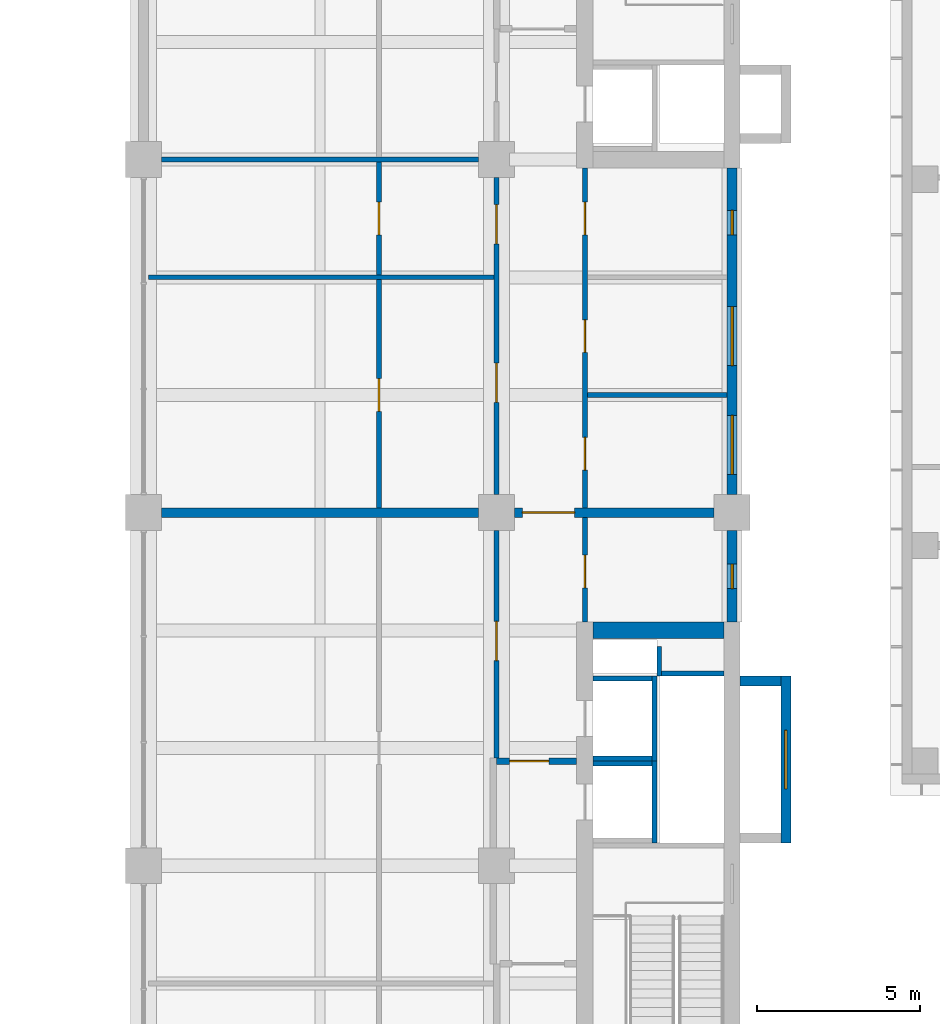
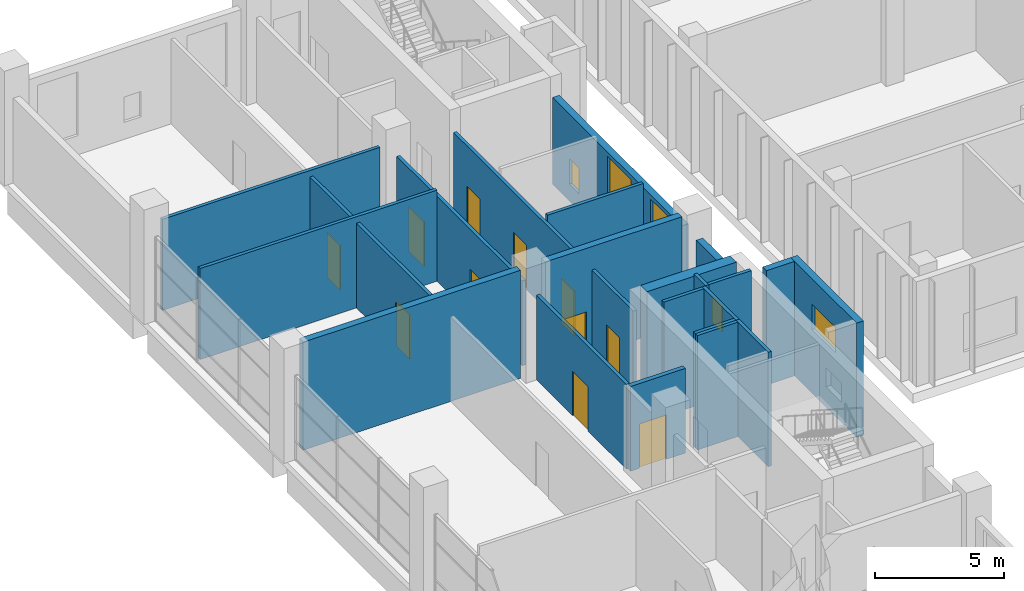
# One storey, part 22 of 32: 24 walls, 11 doors, 5 windows, 16 openings.
"""IFC4 building model written with IfcOpenShell, lengths in metres."""

from ifc_helpers import new_model, si_unit, direction, frame, frame_2d, origin, place, context, subcontext, project, spatial, rectangle, extrude, material, layer, layer_set, type_object, element, fill, save


model = new_model("IFC4")

# Units and contexts
model_context = context("Model", 3, precision=1e-05, world=origin(), true_north=direction((0.0, 1.0)))
body_context = subcontext(model_context, "Body", "Model", "MODEL_VIEW")
ifc_project = project(units=[si_unit("LENGTHUNIT", "METRE"), si_unit("AREAUNIT", "SQUARE_METRE"), si_unit("VOLUMEUNIT", "CUBIC_METRE"), si_unit("PLANEANGLEUNIT", "RADIAN"), si_unit("MASSUNIT", "GRAM", prefix="KILO")], contexts=[model_context])

# Site, building, storey
site_placement = place(None, origin())
site = spatial("IfcSite", under=ifc_project, at=site_placement, CompositionType="ELEMENT")
building_placement = place(site_placement, origin())
building = spatial("IfcBuilding", under=site, at=building_placement, Name="Basin Gate Institute", CompositionType="ELEMENT")
storey_placement = place(building_placement, frame((0.0, 0.0, 11.39990234375)))
storey = spatial("IfcBuildingStorey", under=building, at=storey_placement, Name="L02", CompositionType="ELEMENT", Elevation=11.39990234375)

# Wall, opening, door
ifc_material_1 = material(Name="Fire-rated masonry", Category="masonry")
ifc_layer_1 = layer(ifc_material_1, 0.199951171875)
ifc_layer_set_1 = layer_set([ifc_layer_1], Name="Enclosure wall PW2 200 EI 60")
wall_type_1 = type_object("IfcWallType", Name="Enclosure wall PW2 200 EI 60", PredefinedType="PARTITIONING", material=ifc_layer_set_1)
wall_1_placement = place(storey_placement, frame((114.050048828125, 70.699951171875, 0.0), z_axis=(0.0, 0.0, 1.0), x_axis=(-1.0, 0.0, 0.0)))
wall_1 = element("IfcWall", 1, at=wall_1_placement, inside=storey, type_object=wall_type_1, material=ifc_layer_set_1, Name="Emergency lift lobby wall PW2 L02", PredefinedType="PARTITIONING", context=body_context, shape_type="SweptSolid", body=[
    extrude(rectangle(XDim=2.449951171875, YDim=0.199951171875, at=frame_2d((1.22509765625, 0.0))), origin(), (0.0, 0.0, 1.0), 4.0),
])
opening_1_placement = place(wall_1_placement, frame((0.85009765625, 0.0, 0.0)))
opening_1 = element("IfcOpeningElement", 2, at=opening_1_placement, cuts=wall_1, Name="Opening DR117", PredefinedType="OPENING", context=body_context, shape_type="SweptSolid", body=[
    extrude(rectangle(XDim=1.199951171875, YDim=2.10009765625, at=frame_2d((0.60009765625, 1.050048828125))), frame((0.0, 0.10986328125, 0.0), z_axis=(0.0, -1.0, 0.0), x_axis=(1.0, 0.0, 0.0)), (0.0, 0.0, 1.0), 0.219970703125),
])
ifc_material_2 = material(Name="Steel fire door", Category="steel")
door_type_1 = type_object("IfcDoorType", Name="FD60 Emergency lift lobby door D9", OperationType="NOTDEFINED", PredefinedType="DOOR", material=ifc_material_2)
door_1_placement = place(opening_1_placement, origin())
door_1 = element("IfcDoor", 3, at=door_1_placement, inside=storey, type_object=door_type_1, material=ifc_material_2, Name="Emergency lift lobby door LF2 L02", OperationType="SINGLE_SWING_RIGHT", OverallHeight=2.10009765625, OverallWidth=1.199951171875, PredefinedType="DOOR", context=body_context, shape_type="SweptSolid", body=[
    extrude(rectangle(XDim=1.199951171875, YDim=2.10009765625, at=frame_2d((0.60009765625, 1.050048828125))), frame((0.0, 0.02490234375, 0.0), z_axis=(0.0, -1.0, 0.0), x_axis=(1.0, 0.0, 0.0)), (0.0, 0.0, 1.0), 0.050048828125),
])
fill(opening_1, door_1)

# Wall, opening, window
ifc_material_3 = material(Name="Aluminium-faced insulated panel wall", Category="aluminium")
ifc_layer_2 = layer(ifc_material_3, 0.300048828125)
ifc_layer_set_2 = layer_set([ifc_layer_2], Name="External wall EW1 EI 120")
wall_type_2 = type_object("IfcWallType", Name="External wall EW1 EI 120", PredefinedType="STANDARD", material=ifc_layer_set_2)
wall_2_placement = place(storey_placement, frame((118.800048828125, 74.949951171875, 0.0), z_axis=(0.0, 0.0, 1.0), x_axis=(0.0, 1.0, 0.0)))
wall_2 = element("IfcWall", 4, at=wall_2_placement, inside=storey, type_object=wall_type_2, material=ifc_layer_set_2, Name="External wall E facade L02 3", PredefinedType="STANDARD", context=body_context, shape_type="SweptSolid", body=[
    extrude(rectangle(XDim=2.800048828125, YDim=0.300048828125, at=frame_2d((1.39990234375, 0.0))), origin(), (0.0, 0.0, 1.0), 4.10009765625),
])
opening_2_placement = place(wall_2_placement, frame((1.02490234375, 0.0, 0.800048828125)))
opening_2 = element("IfcOpeningElement", 5, at=opening_2_placement, cuts=wall_2, Name="Opening WN3", PredefinedType="OPENING", context=body_context, shape_type="SweptSolid", body=[
    extrude(rectangle(XDim=0.75, YDim=1.199951171875, at=frame_2d((0.375, 0.60009765625))), frame((0.0, 0.16015625, 0.0), z_axis=(0.0, -1.0, 0.0), x_axis=(1.0, 0.0, 0.0)), (0.0, 0.0, 1.0), 0.320068359375),
])
ifc_material_4 = material(Name="Aluminium-framed double glazing", Category="aluminium")
window_type_1 = type_object("IfcWindowType", Name="Emergency entry panel WN3", PartitioningType="SINGLE_PANEL", PredefinedType="WINDOW", material=ifc_material_4)
window_1_placement = place(opening_2_placement, origin())
window_1 = element("IfcWindow", 6, at=window_1_placement, inside=storey, type_object=window_type_1, material=ifc_material_4, Name="Emergency entry panel E facade L02 bay 12", OverallHeight=1.199951171875, OverallWidth=0.75, PartitioningType="SINGLE_PANEL", PredefinedType="WINDOW", context=body_context, shape_type="SweptSolid", body=[
    extrude(rectangle(XDim=0.75, YDim=1.199951171875, at=frame_2d((0.375, 0.60009765625))), frame((0.0, 0.030029296875, 0.0), z_axis=(0.0, -1.0, 0.0), x_axis=(1.0, 0.0, 0.0)), (0.0, 0.0, 1.0), 0.06005859375),
])
fill(opening_2, window_1)

# Wall, openings, windows
wall_3_placement = place(storey_placement, frame((118.800048828125, 78.85009765625, 0.0), z_axis=(0.0, 0.0, 1.0), x_axis=(0.0, 1.0, 0.0)))
wall_3 = element("IfcWall", 7, at=wall_3_placement, inside=storey, type_object=wall_type_2, material=ifc_layer_set_2, Name="External wall E facade L02 4", PredefinedType="STANDARD", context=body_context, shape_type="SweptSolid", body=[
    extrude(rectangle(XDim=10.0, YDim=0.300048828125, at=frame_2d((5.0, 0.0))), origin(), (0.0, 0.0, 1.0), 4.10009765625),
])
opening_3_placement = place(wall_3_placement, frame((0.625, 0.0, 0.89990234375)))
opening_3 = element("IfcOpeningElement", 8, at=opening_3_placement, cuts=wall_3, Name="Opening WN2", PredefinedType="OPENING", context=body_context, shape_type="SweptSolid", body=[
    extrude(rectangle(XDim=1.800048828125, YDim=3.0, at=frame_2d((0.89990234375, 1.5))), frame((0.0, 0.16015625, 0.0), z_axis=(0.0, -1.0, 0.0), x_axis=(1.0, 0.0, 0.0)), (0.0, 0.0, 1.0), 0.320068359375),
])
opening_4_placement = place(wall_3_placement, frame((3.949951171875, 0.0, 0.89990234375)))
opening_4 = element("IfcOpeningElement", 9, at=opening_4_placement, cuts=wall_3, Name="Opening WN2", PredefinedType="OPENING", context=body_context, shape_type="SweptSolid", body=[
    extrude(rectangle(XDim=1.800048828125, YDim=3.0, at=frame_2d((0.89990234375, 1.5))), frame((0.0, 0.16015625, 0.0), z_axis=(0.0, -1.0, 0.0), x_axis=(1.0, 0.0, 0.0)), (0.0, 0.0, 1.0), 0.320068359375),
])
opening_5_placement = place(wall_3_placement, frame((7.949951171875, 0.0, 0.800048828125)))
opening_5 = element("IfcOpeningElement", 10, at=opening_5_placement, cuts=wall_3, Name="Opening WN3", PredefinedType="OPENING", context=body_context, shape_type="SweptSolid", body=[
    extrude(rectangle(XDim=0.75, YDim=1.199951171875, at=frame_2d((0.375, 0.60009765625))), frame((0.0, 0.16015625, 0.0), z_axis=(0.0, -1.0, 0.0), x_axis=(1.0, 0.0, 0.0)), (0.0, 0.0, 1.0), 0.320068359375),
])
window_2_placement = place(opening_5_placement, origin())
window_2 = element("IfcWindow", 11, at=window_2_placement, inside=storey, type_object=window_type_1, material=ifc_material_4, Name="Emergency entry panel E facade L02 bay 15", OverallHeight=1.199951171875, OverallWidth=0.75, PartitioningType="SINGLE_PANEL", PredefinedType="WINDOW", context=body_context, shape_type="SweptSolid", body=[
    extrude(rectangle(XDim=0.75, YDim=1.199951171875, at=frame_2d((0.375, 0.60009765625))), frame((0.0, 0.030029296875, 0.0), z_axis=(0.0, -1.0, 0.0), x_axis=(1.0, 0.0, 0.0)), (0.0, 0.0, 1.0), 0.06005859375),
])
fill(opening_5, window_2)
ifc_material_5 = material(Name="Aluminium-framed double glazing", Category="aluminium")
window_type_2 = type_object("IfcWindowType", Name="Podium window WN2", PartitioningType="SINGLE_PANEL", PredefinedType="WINDOW", material=ifc_material_5)
window_3_placement = place(opening_3_placement, origin())
window_3 = element("IfcWindow", 12, at=window_3_placement, inside=storey, type_object=window_type_2, material=ifc_material_5, Name="Podium window E facade L02 bay 13", OverallHeight=3.0, OverallWidth=1.800048828125, PartitioningType="SINGLE_PANEL", PredefinedType="WINDOW", context=body_context, shape_type="SweptSolid", body=[
    extrude(rectangle(XDim=1.800048828125, YDim=3.0, at=frame_2d((0.89990234375, 1.5))), frame((0.0, 0.030029296875, 0.0), z_axis=(0.0, -1.0, 0.0), x_axis=(1.0, 0.0, 0.0)), (0.0, 0.0, 1.0), 0.06005859375),
])
fill(opening_3, window_3)
window_4_placement = place(opening_4_placement, origin())
window_4 = element("IfcWindow", 13, at=window_4_placement, inside=storey, type_object=window_type_2, material=ifc_material_5, Name="Podium window E facade L02 bay 14", OverallHeight=3.0, OverallWidth=1.800048828125, PartitioningType="SINGLE_PANEL", PredefinedType="WINDOW", context=body_context, shape_type="SweptSolid", body=[
    extrude(rectangle(XDim=1.800048828125, YDim=3.0, at=frame_2d((0.89990234375, 1.5))), frame((0.0, 0.030029296875, 0.0), z_axis=(0.0, -1.0, 0.0), x_axis=(1.0, 0.0, 0.0)), (0.0, 0.0, 1.0), 0.06005859375),
])
fill(opening_4, window_4)

# Wall, opening, door
ifc_material_6 = material(Name="Gypsum board on steel stud", Category="steel")
ifc_layer_3 = layer(ifc_material_6, 0.14990234375)
ifc_layer_set_3 = layer_set([ifc_layer_3], Name="Gypsum board on steel stud")
wall_type_3 = type_object("IfcWallType", Name="Partition PW1 150 EI 60", PredefinedType="PARTITIONING", material=ifc_layer_set_3)
wall_4_placement = place(storey_placement, frame((114.300048828125, 74.949951171875, 0.0), z_axis=(0.0, 0.0, 1.0), x_axis=(0.0, 1.0, 0.0)))
wall_4 = element("IfcWall", 14, at=wall_4_placement, inside=storey, type_object=wall_type_3, material=ifc_layer_set_3, Name="Corridor wall PW1 L02", PredefinedType="PARTITIONING", context=body_context, shape_type="SweptSolid", body=[
    extrude(rectangle(XDim=3.199951171875, YDim=0.14990234375, at=frame_2d((1.60009765625, 0.0))), origin(), (0.0, 0.0, 1.0), 4.0),
])
opening_6_placement = place(wall_4_placement, frame((1.050048828125, 0.0, 0.0)))
opening_6 = element("IfcOpeningElement", 15, at=opening_6_placement, cuts=wall_4, Name="Opening DR112", PredefinedType="OPENING", context=body_context, shape_type="SweptSolid", body=[
    extrude(rectangle(XDim=1.0, YDim=2.10009765625, at=frame_2d((0.5, 1.050048828125))), frame((0.0, 0.0849609375, 0.0), z_axis=(0.0, -1.0, 0.0), x_axis=(1.0, 0.0, 0.0)), (0.0, 0.0, 1.0), 0.169921875),
])
ifc_material_7 = material(Name="Steel fire door", Category="steel")
door_type_2 = type_object("IfcDoorType", Name="FD30 Store door D4", OperationType="NOTDEFINED", PredefinedType="DOOR", material=ifc_material_7)
door_2_placement = place(opening_6_placement, frame((1.0, 0.0, 0.0), z_axis=(0.0, 0.0, 1.0), x_axis=(-1.0, 0.0, 0.0)))
door_2 = element("IfcDoor", 16, at=door_2_placement, inside=storey, type_object=door_type_2, material=ifc_material_7, Name="Door to Tea Point L02", OperationType="SINGLE_SWING_RIGHT", OverallHeight=2.10009765625, OverallWidth=1.0, PredefinedType="DOOR", context=body_context, shape_type="SweptSolid", body=[
    extrude(rectangle(XDim=1.0, YDim=2.10009765625, at=frame_2d((0.5, 1.050048828125))), frame((0.0, 0.02490234375, 0.0), z_axis=(0.0, -1.0, 0.0), x_axis=(1.0, 0.0, 0.0)), (0.0, 0.0, 1.0), 0.050048828125),
])
fill(opening_6, door_2)

# Wall, openings, doors
wall_5_placement = place(storey_placement, frame((114.300048828125, 78.449951171875, 0.0), z_axis=(0.0, 0.0, 1.0), x_axis=(0.0, 1.0, 0.0)))
wall_5 = element("IfcWall", 17, at=wall_5_placement, inside=storey, type_object=wall_type_3, material=ifc_layer_set_3, Name="Corridor wall PW1 L02", PredefinedType="PARTITIONING", context=body_context, shape_type="SweptSolid", body=[
    extrude(rectangle(XDim=10.400146484375, YDim=0.14990234375, at=frame_2d((5.2001953125, 0.0))), origin(), (0.0, 0.0, 1.0), 4.0),
])
opening_7_placement = place(wall_5_placement, frame((4.75, 0.0, 0.0)))
opening_7 = element("IfcOpeningElement", 18, at=opening_7_placement, cuts=wall_5, Name="Opening DR110", PredefinedType="OPENING", context=body_context, shape_type="SweptSolid", body=[
    extrude(rectangle(XDim=1.0, YDim=2.10009765625, at=frame_2d((0.5, 1.050048828125))), frame((0.0, 0.0849609375, 0.0), z_axis=(0.0, -1.0, 0.0), x_axis=(1.0, 0.0, 0.0)), (0.0, 0.0, 1.0), 0.169921875),
])
opening_8_placement = place(wall_5_placement, frame((1.14990234375, 0.0, 0.0)))
opening_8 = element("IfcOpeningElement", 19, at=opening_8_placement, cuts=wall_5, Name="Opening DR115", PredefinedType="OPENING", context=body_context, shape_type="SweptSolid", body=[
    extrude(rectangle(XDim=1.0, YDim=2.10009765625, at=frame_2d((0.5, 1.050048828125))), frame((0.0, 0.0849609375, 0.0), z_axis=(0.0, -1.0, 0.0), x_axis=(1.0, 0.0, 0.0)), (0.0, 0.0, 1.0), 0.169921875),
])
opening_9_placement = place(wall_5_placement, frame((8.35009765625, 0.0, 0.0)))
opening_9 = element("IfcOpeningElement", 20, at=opening_9_placement, cuts=wall_5, Name="Opening DR116", PredefinedType="OPENING", context=body_context, shape_type="SweptSolid", body=[
    extrude(rectangle(XDim=1.0, YDim=2.10009765625, at=frame_2d((0.5, 1.050048828125))), frame((0.0, 0.0849609375, 0.0), z_axis=(0.0, -1.0, 0.0), x_axis=(1.0, 0.0, 0.0)), (0.0, 0.0, 1.0), 0.169921875),
])
ifc_material_8 = material(Name="Timber fire door", Category="wood")
door_type_3 = type_object("IfcDoorType", Name="FD30 Office door D1", OperationType="NOTDEFINED", PredefinedType="DOOR", material=ifc_material_8)
door_3_placement = place(opening_8_placement, frame((1.0, 0.0, 0.0), z_axis=(0.0, 0.0, 1.0), x_axis=(-1.0, 0.0, 0.0)))
door_3 = element("IfcDoor", 21, at=door_3_placement, inside=storey, type_object=door_type_3, material=ifc_material_8, Name="Door to Write-up Office 0256 L02", OperationType="SINGLE_SWING_RIGHT", OverallHeight=2.10009765625, OverallWidth=1.0, PredefinedType="DOOR", context=body_context, shape_type="SweptSolid", body=[
    extrude(rectangle(XDim=1.0, YDim=2.10009765625, at=frame_2d((0.5, 1.050048828125))), frame((0.0, 0.02490234375, 0.0), z_axis=(0.0, -1.0, 0.0), x_axis=(1.0, 0.0, 0.0)), (0.0, 0.0, 1.0), 0.050048828125),
])
fill(opening_8, door_3)
door_4_placement = place(opening_9_placement, frame((1.0, 0.0, 0.0), z_axis=(0.0, 0.0, 1.0), x_axis=(-1.0, 0.0, 0.0)))
door_4 = element("IfcDoor", 22, at=door_4_placement, inside=storey, type_object=door_type_3, material=ifc_material_8, Name="Door to Write-up Office 0258 L02", OperationType="SINGLE_SWING_LEFT", OverallHeight=2.10009765625, OverallWidth=1.0, PredefinedType="DOOR", context=body_context, shape_type="SweptSolid", body=[
    extrude(rectangle(XDim=1.0, YDim=2.10009765625, at=frame_2d((0.5, 1.050048828125))), frame((0.0, 0.02490234375, 0.0), z_axis=(0.0, -1.0, 0.0), x_axis=(1.0, 0.0, 0.0)), (0.0, 0.0, 1.0), 0.050048828125),
])
fill(opening_9, door_4)
ifc_material_9 = material(Name="Timber fire door", Category="wood")
door_type_4 = type_object("IfcDoorType", Name="FD30 Toilet door D3", OperationType="NOTDEFINED", PredefinedType="DOOR", material=ifc_material_9)
door_5_placement = place(opening_7_placement, frame((1.0, 0.0, 0.0), z_axis=(0.0, 0.0, 1.0), x_axis=(-1.0, 0.0, 0.0)))
door_5 = element("IfcDoor", 23, at=door_5_placement, inside=storey, type_object=door_type_4, material=ifc_material_9, Name="Door to Male WC L02", OperationType="SINGLE_SWING_RIGHT", OverallHeight=2.10009765625, OverallWidth=1.0, PredefinedType="DOOR", context=body_context, shape_type="SweptSolid", body=[
    extrude(rectangle(XDim=1.0, YDim=2.10009765625, at=frame_2d((0.5, 1.050048828125))), frame((0.0, 0.02490234375, 0.0), z_axis=(0.0, -1.0, 0.0), x_axis=(1.0, 0.0, 0.0)), (0.0, 0.0, 1.0), 0.050048828125),
])
fill(opening_7, door_5)

# Wall, opening, door
wall_6_placement = place(storey_placement, frame((111.60009765625, 70.800048828125, 0.0), z_axis=(0.0, 0.0, 1.0), x_axis=(0.0, 1.0, 0.0)))
wall_6 = element("IfcWall", 24, at=wall_6_placement, inside=storey, type_object=wall_type_3, material=ifc_layer_set_3, Name="Laboratory corridor wall PW1 L02", PredefinedType="PARTITIONING", context=body_context, shape_type="SweptSolid", body=[
    extrude(rectangle(XDim=6.949951171875, YDim=0.14990234375, at=frame_2d((3.47509765625, 0.0))), origin(), (0.0, 0.0, 1.0), 4.0),
])
opening_10_placement = place(wall_6_placement, frame((2.97509765625, 0.0, 0.0)))
opening_10 = element("IfcOpeningElement", 25, at=opening_10_placement, cuts=wall_6, Name="Opening DR105", PredefinedType="OPENING", context=body_context, shape_type="SweptSolid", body=[
    extrude(rectangle(XDim=1.199951171875, YDim=2.10009765625, at=frame_2d((0.60009765625, 1.050048828125))), frame((0.0, 0.0849609375, 0.0), z_axis=(0.0, -1.0, 0.0), x_axis=(1.0, 0.0, 0.0)), (0.0, 0.0, 1.0), 0.169921875),
])
ifc_material_10 = material(Name="Timber fire door", Category="wood")
door_type_5 = type_object("IfcDoorType", Name="FD30 Laboratory door D2", OperationType="DOUBLE_DOOR_SINGLE_SWING", PredefinedType="DOOR", material=ifc_material_10)
door_6_placement = place(opening_10_placement, origin())
door_6 = element("IfcDoor", 26, at=door_6_placement, inside=storey, type_object=door_type_5, material=ifc_material_10, Name="Door to Gowning Airlock 0276 L02", OperationType="DOUBLE_DOOR_SINGLE_SWING", OverallHeight=2.10009765625, OverallWidth=1.199951171875, PredefinedType="DOOR", context=body_context, shape_type="SweptSolid", body=[
    extrude(rectangle(XDim=1.199951171875, YDim=2.10009765625, at=frame_2d((0.60009765625, 1.050048828125))), frame((0.0, 0.02490234375, 0.0), z_axis=(0.0, -1.0, 0.0), x_axis=(1.0, 0.0, 0.0)), (0.0, 0.0, 1.0), 0.050048828125),
])
fill(opening_10, door_6)

# Wall, openings, doors
wall_7_placement = place(storey_placement, frame((111.60009765625, 78.85009765625, 0.0), z_axis=(0.0, 0.0, 1.0), x_axis=(0.0, 1.0, 0.0)))
wall_7 = element("IfcWall", 27, at=wall_7_placement, inside=storey, type_object=wall_type_3, material=ifc_layer_set_3, Name="Laboratory corridor wall PW1 L02", PredefinedType="PARTITIONING", context=body_context, shape_type="SweptSolid", body=[
    extrude(rectangle(XDim=9.699951171875, YDim=0.14990234375, at=frame_2d((4.85009765625, 0.0))), origin(), (0.0, 0.0, 1.0), 4.0),
])
opening_11_placement = place(wall_7_placement, frame((2.824951171875, 0.0, 0.0)))
opening_11 = element("IfcOpeningElement", 28, at=opening_11_placement, cuts=wall_7, Name="Opening DR106", PredefinedType="OPENING", context=body_context, shape_type="SweptSolid", body=[
    extrude(rectangle(XDim=1.199951171875, YDim=2.10009765625, at=frame_2d((0.60009765625, 1.050048828125))), frame((0.0, 0.0849609375, 0.0), z_axis=(0.0, -1.0, 0.0), x_axis=(1.0, 0.0, 0.0)), (0.0, 0.0, 1.0), 0.169921875),
])
opening_12_placement = place(wall_7_placement, frame((7.675048828125, 0.0, 0.0)))
opening_12 = element("IfcOpeningElement", 29, at=opening_12_placement, cuts=wall_7, Name="Opening DR107", PredefinedType="OPENING", context=body_context, shape_type="SweptSolid", body=[
    extrude(rectangle(XDim=1.199951171875, YDim=2.10009765625, at=frame_2d((0.60009765625, 1.050048828125))), frame((0.0, 0.0849609375, 0.0), z_axis=(0.0, -1.0, 0.0), x_axis=(1.0, 0.0, 0.0)), (0.0, 0.0, 1.0), 0.169921875),
])
door_7_placement = place(opening_11_placement, origin())
door_7 = element("IfcDoor", 30, at=door_7_placement, inside=storey, type_object=door_type_5, material=ifc_material_10, Name="Door to Gowning Airlock 0278 L02", OperationType="DOUBLE_DOOR_SINGLE_SWING", OverallHeight=2.10009765625, OverallWidth=1.199951171875, PredefinedType="DOOR", context=body_context, shape_type="SweptSolid", body=[
    extrude(rectangle(XDim=1.199951171875, YDim=2.10009765625, at=frame_2d((0.60009765625, 1.050048828125))), frame((0.0, 0.02490234375, 0.0), z_axis=(0.0, -1.0, 0.0), x_axis=(1.0, 0.0, 0.0)), (0.0, 0.0, 1.0), 0.050048828125),
])
fill(opening_11, door_7)
door_8_placement = place(opening_12_placement, origin())
door_8 = element("IfcDoor", 31, at=door_8_placement, inside=storey, type_object=door_type_5, material=ifc_material_10, Name="Door to Gowning Airlock 0280 L02", OperationType="DOUBLE_DOOR_SINGLE_SWING", OverallHeight=2.10009765625, OverallWidth=1.199951171875, PredefinedType="DOOR", context=body_context, shape_type="SweptSolid", body=[
    extrude(rectangle(XDim=1.199951171875, YDim=2.10009765625, at=frame_2d((0.60009765625, 1.050048828125))), frame((0.0, 0.02490234375, 0.0), z_axis=(0.0, -1.0, 0.0), x_axis=(1.0, 0.0, 0.0)), (0.0, 0.0, 1.0), 0.050048828125),
])
fill(opening_12, door_8)

# Wall, opening, door
wall_8_placement = place(storey_placement, frame((108.0, 78.449951171875, 0.0), z_axis=(0.0, 0.0, 1.0), x_axis=(0.0, 1.0, 0.0)))
wall_8 = element("IfcWall", 32, at=wall_8_placement, inside=storey, type_object=wall_type_3, material=ifc_layer_set_3, Name="Clean room wall PW1 L02", PredefinedType="PARTITIONING", context=body_context, shape_type="SweptSolid", body=[
    extrude(rectangle(XDim=6.97509765625, YDim=0.14990234375, at=frame_2d((3.487548828125, 0.0))), origin(), (0.0, 0.0, 1.0), 4.0),
])
opening_13_placement = place(wall_8_placement, frame((2.949951171875, 0.0, 0.0)))
opening_13 = element("IfcOpeningElement", 33, at=opening_13_placement, cuts=wall_8, Name="Opening DR098", PredefinedType="OPENING", context=body_context, shape_type="SweptSolid", body=[
    extrude(rectangle(XDim=1.0, YDim=2.10009765625, at=frame_2d((0.5, 1.050048828125))), frame((0.0, 0.0849609375, 0.0), z_axis=(0.0, -1.0, 0.0), x_axis=(1.0, 0.0, 0.0)), (0.0, 0.0, 1.0), 0.169921875),
])
ifc_material_11 = material(Name="Steel fire door", Category="steel")
door_type_6 = type_object("IfcDoorType", Name="FD30 Airlock door D5", OperationType="NOTDEFINED", PredefinedType="DOOR", material=ifc_material_11)
door_9_placement = place(opening_13_placement, origin())
door_9 = element("IfcDoor", 34, at=door_9_placement, inside=storey, type_object=door_type_6, material=ifc_material_11, Name="Clean room entry door Clean Room ISO 7 0278 L02", OperationType="SINGLE_SWING_LEFT", OverallHeight=2.10009765625, OverallWidth=1.0, PredefinedType="DOOR", context=body_context, shape_type="SweptSolid", body=[
    extrude(rectangle(XDim=1.0, YDim=2.10009765625, at=frame_2d((0.5, 1.050048828125))), frame((0.0, 0.02490234375, 0.0), z_axis=(0.0, -1.0, 0.0), x_axis=(1.0, 0.0, 0.0)), (0.0, 0.0, 1.0), 0.050048828125),
])
fill(opening_13, door_9)

wall_9_placement = place(storey_placement, frame((108.0, 85.574951171875, 0.0), z_axis=(0.0, 0.0, 1.0), x_axis=(0.0, 1.0, 0.0)))
wall_9 = element("IfcWall", 35, at=wall_9_placement, inside=storey, type_object=wall_type_3, material=ifc_layer_set_3, Name="Clean room wall PW1 L02", PredefinedType="PARTITIONING", context=body_context, shape_type="SweptSolid", body=[
    extrude(rectangle(XDim=3.449951171875, YDim=0.14990234375, at=frame_2d((1.72509765625, 0.0))), origin(), (0.0, 0.0, 1.0), 4.0),
])
opening_14_placement = place(wall_9_placement, frame((1.22509765625, 0.0, 0.0)))
opening_14 = element("IfcOpeningElement", 36, at=opening_14_placement, cuts=wall_9, Name="Opening DR094", PredefinedType="OPENING", context=body_context, shape_type="SweptSolid", body=[
    extrude(rectangle(XDim=1.0, YDim=2.10009765625, at=frame_2d((0.5, 1.050048828125))), frame((0.0, 0.0849609375, 0.0), z_axis=(0.0, -1.0, 0.0), x_axis=(1.0, 0.0, 0.0)), (0.0, 0.0, 1.0), 0.169921875),
])
door_10_placement = place(opening_14_placement, origin())
door_10 = element("IfcDoor", 37, at=door_10_placement, inside=storey, type_object=door_type_6, material=ifc_material_11, Name="Clean room entry door Clean Room ISO 6 0280 L02", OperationType="SINGLE_SWING_LEFT", OverallHeight=2.10009765625, OverallWidth=1.0, PredefinedType="DOOR", context=body_context, shape_type="SweptSolid", body=[
    extrude(rectangle(XDim=1.0, YDim=2.10009765625, at=frame_2d((0.5, 1.050048828125))), frame((0.0, 0.02490234375, 0.0), z_axis=(0.0, -1.0, 0.0), x_axis=(1.0, 0.0, 0.0)), (0.0, 0.0, 1.0), 0.050048828125),
])
fill(opening_14, door_10)

# Walls
wall_10_placement = place(storey_placement, frame((111.52490234375, 85.5, 0.0), z_axis=(0.0, 0.0, 1.0), x_axis=(-1.0, 0.0, 0.0)))
element("IfcWall", 38, at=wall_10_placement, inside=storey, type_object=wall_type_3, material=ifc_layer_set_3, Name="Clean room wall PW1 L02", PredefinedType="PARTITIONING", context=body_context, shape_type="SweptSolid", body=[
    extrude(rectangle(XDim=10.574951171875, YDim=0.14990234375, at=frame_2d((5.28759765625, 0.0))), origin(), (0.0, 0.0, 1.0), 4.300048828125),
])
wall_11_placement = place(storey_placement, frame((111.050048828125, 89.10009765625, 0.0), z_axis=(0.0, 0.0, 1.0), x_axis=(-1.0, 0.0, 0.0)))
element("IfcWall", 39, at=wall_11_placement, inside=storey, type_object=wall_type_3, material=ifc_layer_set_3, Name="Clean room wall PW1 L02", PredefinedType="PARTITIONING", context=body_context, shape_type="SweptSolid", body=[
    extrude(rectangle(XDim=9.699951171875, YDim=0.14990234375, at=frame_2d((4.85009765625, 0.0))), origin(), (0.0, 0.0, 1.0), 4.300048828125),
])
ifc_material_12 = material(Name="Gypsum board on steel stud", Category="steel")
ifc_layer_4 = layer(ifc_material_12, 0.14990234375)
ifc_layer_set_4 = layer_set([ifc_layer_4], Name="Gypsum board on steel stud")
wall_type_4 = type_object("IfcWallType", Name="Partition PW4 150", PredefinedType="PARTITIONING", material=ifc_layer_set_4)
wall_12_placement = place(storey_placement, frame((118.64990234375, 81.89990234375, 0.0), z_axis=(0.0, 0.0, 1.0), x_axis=(-1.0, 0.0, 0.0)))
element("IfcWall", 40, at=wall_12_placement, inside=storey, type_object=wall_type_4, material=ifc_layer_set_4, Name="Toilet partition PW4 L02", PredefinedType="PARTITIONING", context=body_context, shape_type="SweptSolid", body=[
    extrude(rectangle(XDim=4.27490234375, YDim=0.14990234375, at=frame_2d((2.137451171875, 0.0))), origin(), (0.0, 0.0, 1.0), 4.300048828125),
])
ifc_material_13 = material(Name="Concrete 40 MPa", Category="concrete")
ifc_layer_5 = layer(ifc_material_13, 0.14990234375)
ifc_layer_set_5 = layer_set([ifc_layer_5], Name="Concrete 40 MPa")
wall_type_5 = type_object("IfcWallType", Name="Wall LS1 lift shaft enclosure R180", PredefinedType="SOLIDWALL", material=ifc_layer_set_5)
wall_13_placement = place(storey_placement, frame((116.425048828125, 68.199951171875, 0.0), z_axis=(0.0, 0.0, 1.0), x_axis=(0.0, 1.0, 0.0)))
element("IfcWall", 41, at=wall_13_placement, inside=storey, type_object=wall_type_5, material=ifc_layer_set_5, Name="Lift shaft enclosure LF2 L02 UL", PredefinedType="SOLIDWALL", context=body_context, shape_type="SweptSolid", body=[
    extrude(rectangle(XDim=2.5, YDim=0.14990234375, at=frame_2d((1.25, 0.0))), origin(), (0.0, 0.0, 1.0), 5.400146484375),
])
wall_14_placement = place(storey_placement, frame((116.35009765625, 70.625, 0.0), z_axis=(0.0, 0.0, 1.0), x_axis=(-1.0, 0.0, 0.0)))
element("IfcWall", 42, at=wall_14_placement, inside=storey, type_object=wall_type_5, material=ifc_layer_set_5, Name="Lift shaft enclosure LF2 L02 RH", PredefinedType="SOLIDWALL", context=body_context, shape_type="SweptSolid", body=[
    extrude(rectangle(XDim=1.800048828125, YDim=0.14990234375, at=frame_2d((0.89990234375, 0.0))), origin(), (0.0, 0.0, 1.0), 5.400146484375),
])
wall_15_placement = place(storey_placement, frame((116.425048828125, 70.699951171875, 0.0), z_axis=(0.0, 0.0, 1.0), x_axis=(0.0, 1.0, 0.0)))
element("IfcWall", 43, at=wall_15_placement, inside=storey, type_object=wall_type_5, material=ifc_layer_set_5, Name="Lift shaft enclosure LP5 L02 UL", PredefinedType="SOLIDWALL", context=body_context, shape_type="SweptSolid", body=[
    extrude(rectangle(XDim=2.60009765625, YDim=0.14990234375, at=frame_2d((1.300048828125, 0.0))), origin(), (0.0, 0.0, 1.0), 5.400146484375),
])
for number, where, z_axis, x_axis, name in (
    (44, (116.35009765625, 70.77490234375, 0.0), (0.0, 0.0, 1.0), (-1.0, 0.0, 0.0), "Lift shaft enclosure LP5 L02 RL"),
    (45, (116.35009765625, 73.22509765625, 0.0), (0.0, 0.0, 1.0), (-1.0, 0.0, 0.0), "Lift shaft enclosure LP5 L02 RH"),
):
    element("IfcWall", number, at=place(storey_placement, frame(where, z_axis=z_axis, x_axis=x_axis)), inside=storey, type_object=wall_type_5, material=ifc_layer_set_5, Name=name, PredefinedType="SOLIDWALL", context=body_context, shape_type="SweptSolid", body=[
        extrude(rectangle(XDim=1.800048828125, YDim=0.14990234375, at=frame_2d((0.89990234375, 0.0))), origin(), (0.0, 0.0, 1.0), 5.400146484375),
    ])
ifc_material_14 = material(Name="Concrete 40 MPa", Category="concrete")
ifc_layer_6 = layer(ifc_material_14, 0.14990234375)
ifc_layer_set_6 = layer_set([ifc_layer_6], Name="Concrete 40 MPa")
wall_type_6 = type_object("IfcWallType", Name="Wall RS1 riser shaft enclosure R180", PredefinedType="SOLIDWALL", material=ifc_layer_set_6)
wall_16_placement = place(storey_placement, frame((118.550048828125, 73.375, 0.0), z_axis=(0.0, 0.0, 1.0), x_axis=(-1.0, 0.0, 0.0)))
element("IfcWall", 46, at=wall_16_placement, inside=storey, type_object=wall_type_6, material=ifc_layer_set_6, Name="Riser shaft enclosure EM L02 N", PredefinedType="SOLIDWALL", context=body_context, shape_type="SweptSolid", body=[
    extrude(rectangle(XDim=1.900146484375, YDim=0.14990234375, at=frame_2d((0.9501953125, 0.0))), origin(), (0.0, 0.0, 1.0), 5.400146484375),
])
wall_17_placement = place(storey_placement, frame((116.574951171875, 73.300048828125, 0.0), z_axis=(0.0, 0.0, 1.0), x_axis=(0.0, 1.0, 0.0)))
element("IfcWall", 47, at=wall_17_placement, inside=storey, type_object=wall_type_6, material=ifc_layer_set_6, Name="Riser shaft enclosure EM L02 W", PredefinedType="SOLIDWALL", context=body_context, shape_type="SweptSolid", body=[
    extrude(rectangle(XDim=0.89990234375, YDim=0.14990234375, at=frame_2d((0.449951171875, 0.0))), origin(), (0.0, 0.0, 1.0), 5.400146484375),
])

# Wall, opening, window
ifc_material_15 = material(Name="Concrete 50 MPa", Category="concrete")
ifc_layer_7 = layer(ifc_material_15, 0.300048828125)
ifc_layer_set_7 = layer_set([ifc_layer_7], Name="Concrete 50 MPa")
wall_type_7 = type_object("IfcWallType", Name="Wall SK1 R180", PredefinedType="SHEAR", material=ifc_layer_set_7)
wall_18_placement = place(storey_placement, frame((120.449951171875, 68.199951171875, 0.0), z_axis=(0.0, 0.0, 1.0), x_axis=(0.0, 1.0, 0.0)))
wall_18 = element("IfcWall", 48, at=wall_18_placement, inside=storey, type_object=wall_type_7, material=ifc_layer_set_7, Name="Spine riser stack wall SK1 EM F L02", PredefinedType="SHEAR", context=body_context, shape_type="SweptSolid", body=[
    extrude(rectangle(XDim=5.10009765625, YDim=0.300048828125, at=frame_2d((2.550048828125, 0.0))), origin(), (0.0, 0.0, 1.0), 5.400146484375),
])
opening_15_placement = place(wall_18_placement, frame((1.64990234375, 0.0, 3.0)))
opening_15 = element("IfcOpeningElement", 49, at=opening_15_placement, cuts=wall_18, Name="Opening WL1", PredefinedType="OPENING", context=body_context, shape_type="SweptSolid", body=[
    extrude(rectangle(XDim=1.800048828125, YDim=1.199951171875, at=frame_2d((0.89990234375, 0.60009765625))), frame((0.0, 0.16015625, 0.0), z_axis=(0.0, -1.0, 0.0), x_axis=(1.0, 0.0, 0.0)), (0.0, 0.0, 1.0), 0.320068359375),
])
ifc_material_16 = material(Name="Aluminium louvre blades with fire damper", Category="aluminium")
window_type_3 = type_object("IfcWindowType", Name="Riser louvre EI 180 WL1", PartitioningType="SINGLE_PANEL", PredefinedType="WINDOW", material=ifc_material_16)
window_5_placement = place(opening_15_placement, origin())
window_5 = element("IfcWindow", 50, at=window_5_placement, inside=storey, type_object=window_type_3, material=ifc_material_16, Name="Riser louvre EI 180 EM riser 1 L02", OverallHeight=1.199951171875, OverallWidth=1.800048828125, PartitioningType="SINGLE_PANEL", PredefinedType="WINDOW", context=body_context, shape_type="SweptSolid", body=[
    extrude(rectangle(XDim=1.800048828125, YDim=1.199951171875, at=frame_2d((0.89990234375, 0.60009765625))), frame((0.0, 0.030029296875, 0.0), z_axis=(0.0, -1.0, 0.0), x_axis=(1.0, 0.0, 0.0)), (0.0, 0.0, 1.0), 0.06005859375),
])
fill(opening_15, window_5)

# Walls
wall_19_placement = place(storey_placement, frame((119.050048828125, 73.14990234375, 0.0), z_axis=(0.0, 0.0, 1.0), x_axis=(1.0, 0.0, 0.0)))
element("IfcWall", 51, at=wall_19_placement, inside=storey, type_object=wall_type_7, material=ifc_layer_set_7, Name="Spine riser stack wall SK1 EM B L02", PredefinedType="SHEAR", context=body_context, shape_type="SweptSolid", body=[
    extrude(rectangle(XDim=1.25, YDim=0.300048828125, at=frame_2d((0.625, 0.0))), origin(), (0.0, 0.0, 1.0), 5.400146484375),
])
ifc_material_17 = material(Name="Concrete 60 MPa", Category="concrete")
ifc_layer_8 = layer(ifc_material_17, 0.5)
ifc_layer_set_8 = layer_set([ifc_layer_8], Name="Concrete 60 MPa")
wall_type_8 = type_object("IfcWallType", Name="Wall SW1 R180", PredefinedType="SHEAR", material=ifc_layer_set_8)
wall_20_placement = place(storey_placement, frame((118.550048828125, 74.699951171875, 0.0), z_axis=(0.0, 0.0, 1.0), x_axis=(-1.0, 0.0, 0.0)))
element("IfcWall", 52, at=wall_20_placement, inside=storey, type_object=wall_type_8, material=ifc_layer_set_8, Name="WALL/L02/EM/N", PredefinedType="SHEAR", context=body_context, shape_type="SweptSolid", body=[
    extrude(rectangle(XDim=4.0, YDim=0.5, at=frame_2d((2.0, 0.0))), origin(), (0.0, 0.0, 1.0), 5.10009765625),
])

# Wall, opening, door
ifc_material_18 = material(Name="Concrete 50 MPa", Category="concrete")
ifc_layer_9 = layer(ifc_material_18, 0.300048828125)
ifc_layer_set_9 = layer_set([ifc_layer_9], Name="Concrete 50 MPa")
wall_type_9 = type_object("IfcWallType", Name="Wall XW1 R180", PredefinedType="SHEAR", material=ifc_layer_set_9)
wall_21_placement = place(storey_placement, frame((118.25, 78.300048828125, 0.0), z_axis=(0.0, 0.0, 1.0), x_axis=(-1.0, 0.0, 0.0)))
wall_21 = element("IfcWall", 53, at=wall_21_placement, inside=storey, type_object=wall_type_9, material=ifc_layer_set_9, Name="WALL/L02/EXE/1", PredefinedType="SHEAR", context=body_context, shape_type="SweptSolid", body=[
    extrude(rectangle(XDim=6.10009765625, YDim=0.300048828125, at=frame_2d((3.050048828125, 0.0))), origin(), (0.0, 0.0, 1.0), 5.10009765625),
])
opening_16_placement = place(wall_21_placement, frame((4.262451171875, 0.0, 0.0)))
opening_16 = element("IfcOpeningElement", 54, at=opening_16_placement, cuts=wall_21, Name="Opening DR123", PredefinedType="OPENING", context=body_context, shape_type="SweptSolid", body=[
    extrude(rectangle(XDim=1.60009765625, YDim=2.10009765625, at=frame_2d((0.800048828125, 1.050048828125))), frame((0.0, 0.16015625, 0.0), z_axis=(0.0, -1.0, 0.0), x_axis=(1.0, 0.0, 0.0)), (0.0, 0.0, 1.0), 0.320068359375),
])
ifc_material_19 = material(Name="Steel fire door", Category="steel")
door_type_7 = type_object("IfcDoorType", Name="FD60 Compartment door pair D7", OperationType="DOUBLE_DOOR_SINGLE_SWING", PredefinedType="DOOR", material=ifc_material_19)
door_11_placement = place(opening_16_placement, origin())
door_11 = element("IfcDoor", 55, at=door_11_placement, inside=storey, type_object=door_type_7, material=ifc_material_19, Name="Compartment door pair L02 E2 L02", OperationType="DOUBLE_DOOR_SINGLE_SWING", OverallHeight=2.10009765625, OverallWidth=1.60009765625, PredefinedType="DOOR", context=body_context, shape_type="SweptSolid", body=[
    extrude(rectangle(XDim=1.60009765625, YDim=2.10009765625, at=frame_2d((0.800048828125, 1.050048828125))), frame((0.0, 0.02490234375, 0.0), z_axis=(0.0, -1.0, 0.0), x_axis=(1.0, 0.0, 0.0)), (0.0, 0.0, 1.0), 0.050048828125),
])
fill(opening_16, door_11)

# Wall
wall_22_placement = place(storey_placement, frame((111.050048828125, 78.300048828125, 0.0), z_axis=(0.0, 0.0, 1.0), x_axis=(-1.0, 0.0, 0.0)))
element("IfcWall", 56, at=wall_22_placement, inside=storey, type_object=wall_type_9, material=ifc_layer_set_9, Name="WALL/L02/EXE/2", PredefinedType="SHEAR", context=body_context, shape_type="SweptSolid", body=[
    extrude(rectangle(XDim=9.699951171875, YDim=0.300048828125, at=frame_2d((4.85009765625, 0.0))), origin(), (0.0, 0.0, 1.0), 5.10009765625),
])

save(model, "model.ifc")
